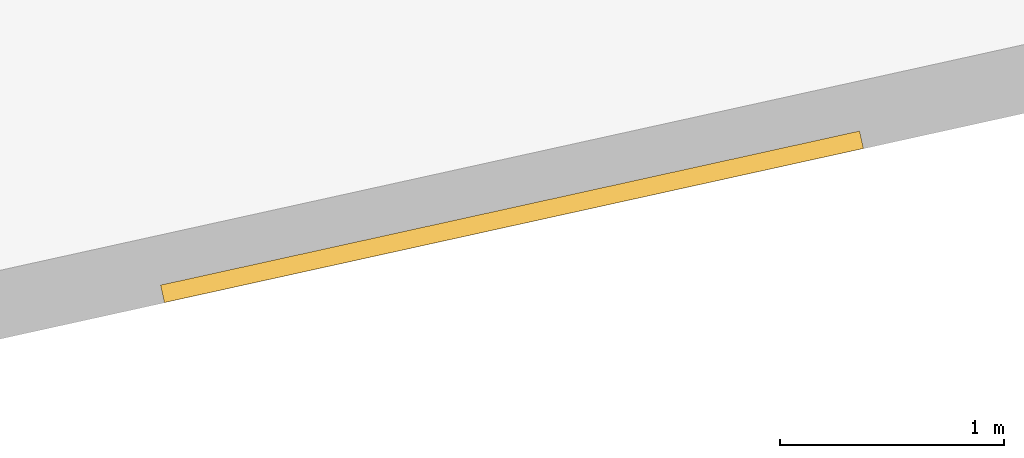
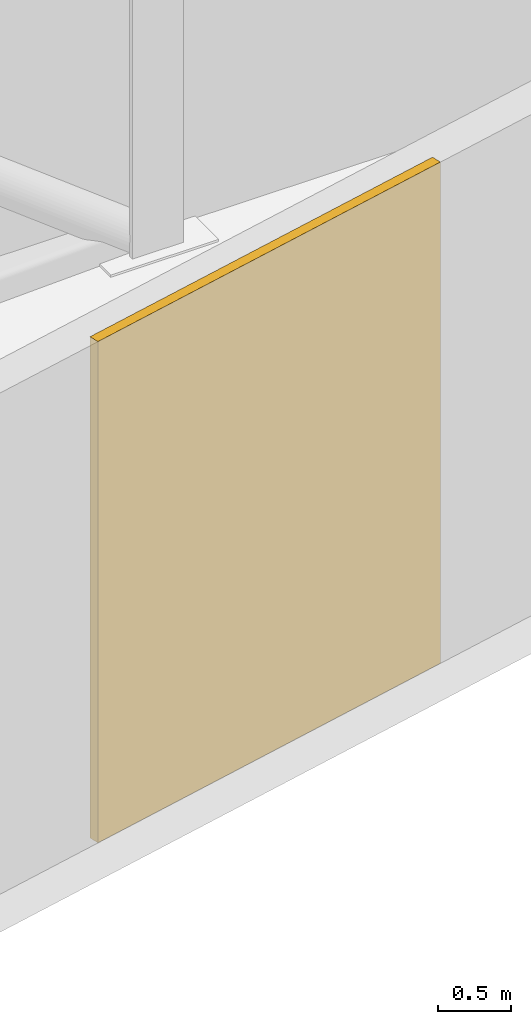
# One storey, part 14 of 18: 1 covering.
"""IFC4 building model written with IfcOpenShell, lengths in metres."""

from ifc_helpers import new_model, si_unit, derived_unit, direction, frame, origin, origin_2d, place, context, subcontext, project, spatial, rectangle, extrude, material, layer, layer_set, type_object, element, save


model = new_model("IFC4")

# Units and contexts
model_context = context("Model", 3, precision=1e-05, world=origin(), true_north=direction((0.0, 1.0)))
body_context = subcontext(model_context, "Body", "Model", "MODEL_VIEW")
ifc_project = project(units=[si_unit("LENGTHUNIT", "METRE"), si_unit("AREAUNIT", "SQUARE_METRE"), si_unit("VOLUMEUNIT", "CUBIC_METRE"), si_unit("PLANEANGLEUNIT", "RADIAN"), si_unit("MASSUNIT", "GRAM", prefix="KILO"), derived_unit("THERMALTRANSMITTANCEUNIT", [(si_unit("POWERUNIT", "WATT"), 1), (si_unit("LENGTHUNIT", "METRE"), -2), (si_unit("THERMODYNAMICTEMPERATUREUNIT", "KELVIN"), -1)])], contexts=[model_context])

# Site, building, storey
site_placement = place(None, origin())
site = spatial("IfcSite", under=ifc_project, at=site_placement, CompositionType="ELEMENT")
building_placement = place(site_placement, origin())
building = spatial("IfcBuilding", under=site, at=building_placement, Name="Kivonza Crest Hotel", CompositionType="ELEMENT")
storey_placement = place(building_placement, frame((0.0, 0.0, 90.5)))
storey = spatial("IfcBuildingStorey", under=building, at=storey_placement, Name="L24", CompositionType="ELEMENT", Elevation=90.5)

# Covering
ifc_material = material(Name="Anodised bronze aluminium acoustic louvre cladding", Category="aluminium")
ifc_layer = layer(ifc_material, 0.080078125)
ifc_layer_set = layer_set([ifc_layer], Name="Anodised bronze aluminium acoustic louvre cladding")
covering_type = type_object("IfcCoveringType", Name="CV-CLAD-80", PredefinedType="CLADDING", material=ifc_layer_set)
covering_placement = place(storey_placement, frame((31.846923828125, 4.0380859375, 0.0), z_axis=(0.0, 0.0, 1.0), x_axis=(0.976559709305, 0.215246682117, 0.0)))
element("IfcCovering", 1, at=covering_placement, inside=storey, type_object=covering_type, Name="L24 T1 terracotta baguette and louvre screen 9", PredefinedType="CLADDING", context=body_context, shape_type="SweptSolid", body=[
    extrude(rectangle(XDim=3.199951171875, YDim=0.080078125, at=origin_2d()), origin(), (0.0, 0.0, 1.0), 4.219970703125),
])

save(model, "model.ifc")
